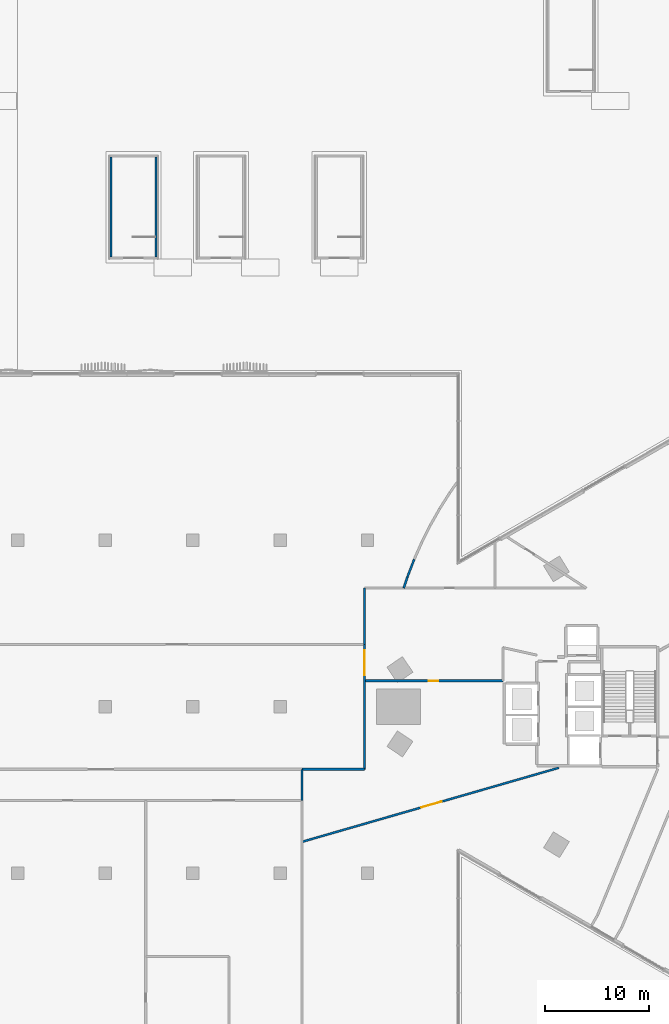
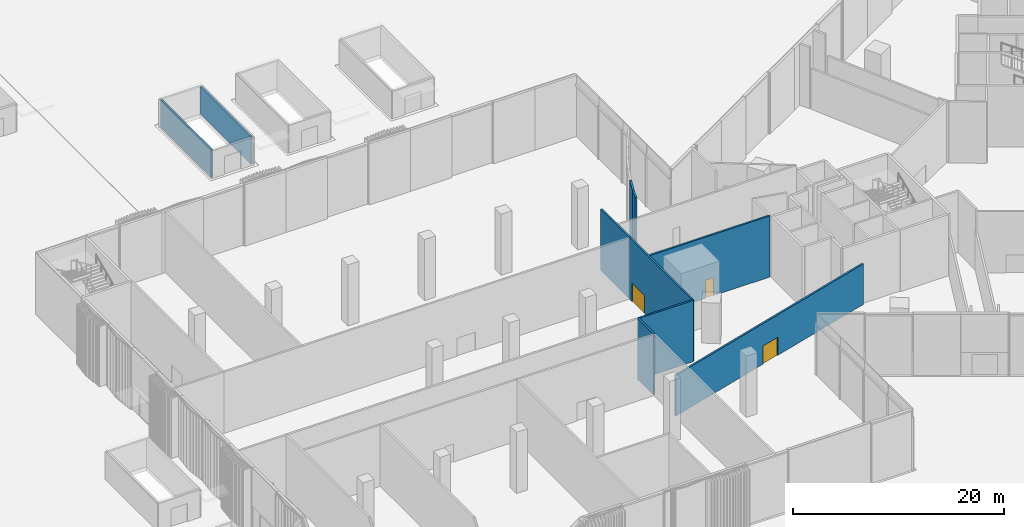
# One storey, part 17 of 41: 10 walls, 3 doors, 3 openings.
"""IFC4 building model written with IfcOpenShell, lengths in metres."""

from ifc_helpers import new_model, si_unit, direction, frame, frame_2d, origin, place, context, subcontext, project, spatial, rectangle, extrude, material, layer, layer_set, type_object, element, fill, save


model = new_model("IFC4")

# Units and contexts
model_context = context("Model", 3, precision=1e-05, world=origin(), true_north=direction((0.0, 1.0)))
body_context = subcontext(model_context, "Body", "Model", "MODEL_VIEW")
ifc_project = project(units=[si_unit("LENGTHUNIT", "METRE"), si_unit("AREAUNIT", "SQUARE_METRE"), si_unit("VOLUMEUNIT", "CUBIC_METRE"), si_unit("PLANEANGLEUNIT", "RADIAN"), si_unit("MASSUNIT", "GRAM", prefix="KILO")], contexts=[model_context])

# Site, building, storey
site_placement = place(None, origin())
site = spatial("IfcSite", under=ifc_project, at=site_placement, CompositionType="ELEMENT")
building_placement = place(site_placement, origin())
building = spatial("IfcBuilding", under=site, at=building_placement, Name="Tamra Quay Hotel Tower", CompositionType="ELEMENT")
storey_placement = place(building_placement, origin())
storey = spatial("IfcBuildingStorey", under=building, at=storey_placement, Name="L00", CompositionType="ELEMENT", Elevation=0.0)

# Walls
ifc_material_1 = material(Name="Concrete M70", Category="concrete")
ifc_layer_1 = layer(ifc_material_1, 0.199951171875)
ifc_layer_set_1 = layer_set([ifc_layer_1], Name="Concrete M70 stair enclosure wall 200")
wall_type_1 = type_object("IfcWallType", Name="Concrete M70 stair enclosure wall 200", PredefinedType="SOLIDWALL", material=ifc_layer_set_1)
for number, where, z_axis, x_axis, name in (
    (1, (-63.35009765625, 43.199951171875, 0.0), (0.0, 0.0, 1.0), (0.0, 1.0, 0.0), "SEW"),
    (2, (-59.0, 43.199951171875, 0.0), (0.0, 0.0, 1.0), (0.0, 1.0, 0.0), "SEW"),
):
    element("IfcWall", number, at=place(storey_placement, frame(where, z_axis=z_axis, x_axis=x_axis)), inside=storey, type_object=wall_type_1, Name=name, PredefinedType="SOLIDWALL", context=body_context, shape_type="SweptSolid", body=[
        extrude(rectangle(XDim=9.60009765625, YDim=0.199951171875, at=frame_2d((4.800048828125, 0.0))), origin(), (0.0, 0.0, 1.0), 3.199951171875),
    ])
ifc_material_2 = material(Name="Partition corridor wall")
ifc_layer_2 = layer(ifc_material_2, 0.199951171875)
ifc_layer_set_2 = layer_set([ifc_layer_2], Name="Partition corridor wall")
wall_type_2 = type_object("IfcWallType", Name="Partition corridor wall", PredefinedType="PARTITIONING", material=ifc_layer_set_2)
wall_1_placement = place(storey_placement, frame((-45.0, -9.0, 0.0), z_axis=(0.0, 0.0, 1.0), x_axis=(0.0, 1.0, 0.0)))
element("IfcWall", 3, at=wall_1_placement, inside=storey, type_object=wall_type_2, Name="W-C", PredefinedType="PARTITIONING", context=body_context, shape_type="SweptSolid", body=[
    extrude(rectangle(XDim=2.998046875, YDim=0.199951171875, at=frame_2d((1.4990234375, 0.0))), origin(), (0.0, 0.0, 1.0), 7.10009765625),
])
ifc_material_3 = material(Name="Partition party wall")
ifc_layer_3 = layer(ifc_material_3, 0.199951171875)
ifc_layer_set_3 = layer_set([ifc_layer_3], Name="Partition party wall")
wall_type_3 = type_object("IfcWallType", Name="Partition party wall", PredefinedType="PARTITIONING", material=ifc_layer_set_3)
wall_2_placement = place(storey_placement, frame((-45.010009765625, -6.0, 0.0), z_axis=(0.0, 0.0, 1.0), x_axis=(1.0, 0.0, 0.0)))
element("IfcWall", 4, at=wall_2_placement, inside=storey, type_object=wall_type_3, Name="W-P", PredefinedType="PARTITIONING", context=body_context, shape_type="SweptSolid", body=[
    extrude(rectangle(XDim=6.010009765625, YDim=0.199951171875, at=frame_2d((3.0048828125, 0.0))), origin(), (0.0, 0.0, 1.0), 7.10009765625),
])

# Wall, opening, door
wall_3_placement = place(storey_placement, frame((-44.998046875, -12.971923828125, 0.0), z_axis=(0.0, 0.0, 1.0), x_axis=(0.960873245647, 0.27698845788, 0.0)))
wall_3 = element("IfcWall", 5, at=wall_3_placement, inside=storey, type_object=wall_type_3, Name="W-P", PredefinedType="PARTITIONING", context=body_context, shape_type="SweptSolid", body=[
    extrude(rectangle(XDim=25.675537109375, YDim=0.199951171875, at=frame_2d((12.837890625, 0.0))), origin(), (0.0, 0.0, 1.0), 4.699951171875),
])
opening_1_placement = place(wall_3_placement, frame((11.946044921875, 0.0, 0.0)))
opening_1 = element("IfcOpeningElement", 6, at=opening_1_placement, cuts=wall_3, Name="Opening L00-D017", PredefinedType="OPENING", context=body_context, shape_type="SweptSolid", body=[
    extrude(rectangle(XDim=2.0, YDim=2.10009765625, at=frame_2d((1.0, 1.050048828125))), frame((0.0, 0.10986328125, 0.0), z_axis=(0.0, -1.0, 0.0), x_axis=(1.0, 0.0, 0.0)), (0.0, 0.0, 1.0), 0.219970703125),
])
ifc_material_4 = material(Name="Door double leaf 2000x2100")
door_type_1 = type_object("IfcDoorType", Name="Door double leaf 2000x2100", OperationType="DOUBLE_DOOR_SINGLE_SWING", PredefinedType="DOOR", material=ifc_material_4)
door_1_placement = place(opening_1_placement, frame((2.0, 0.0, 0.0), z_axis=(0.0, 0.0, 1.0), x_axis=(-1.0, 0.0, 0.0)))
door_1 = element("IfcDoor", 7, at=door_1_placement, inside=storey, type_object=door_type_1, Name="L00-D017", OperationType="DOUBLE_DOOR_SINGLE_SWING", OverallHeight=2.10009765625, OverallWidth=2.0, PredefinedType="DOOR", context=body_context, shape_type="SweptSolid", body=[
    extrude(rectangle(XDim=2.0, YDim=2.10009765625, at=frame_2d((1.0, 1.050048828125))), frame((0.0, 0.02490234375, 0.0), z_axis=(0.0, -1.0, 0.0), x_axis=(1.0, 0.0, 0.0)), (0.0, 0.0, 1.0), 0.050048828125),
])
fill(opening_1, door_1)

wall_4_placement = place(storey_placement, frame((-39.0, -6.0, 0.0), z_axis=(0.0, 0.0, 1.0), x_axis=(0.0, 1.0, 0.0)))
wall_4 = element("IfcWall", 8, at=wall_4_placement, inside=storey, type_object=wall_type_3, Name="W-P", PredefinedType="PARTITIONING", context=body_context, shape_type="SweptSolid", body=[
    extrude(rectangle(XDim=12.0, YDim=0.199951171875, at=frame_2d((6.0, 0.0))), origin(), (0.0, 0.0, 1.0), 7.10009765625),
])
opening_2_placement = place(wall_4_placement, frame((9.0439453125, 0.0, 0.0)))
opening_2 = element("IfcOpeningElement", 9, at=opening_2_placement, cuts=wall_4, Name="Opening L00-D021", PredefinedType="OPENING", context=body_context, shape_type="SweptSolid", body=[
    extrude(rectangle(XDim=2.39990234375, YDim=2.10009765625, at=frame_2d((1.199951171875, 1.050048828125))), frame((0.0, 0.10986328125, 0.0), z_axis=(0.0, -1.0, 0.0), x_axis=(1.0, 0.0, 0.0)), (0.0, 0.0, 1.0), 0.219970703125),
])
ifc_material_5 = material(Name="Door double leaf 2400x2100")
door_type_2 = type_object("IfcDoorType", Name="Door double leaf 2400x2100", OperationType="DOUBLE_DOOR_SINGLE_SWING", PredefinedType="DOOR", material=ifc_material_5)
door_2_placement = place(opening_2_placement, origin())
door_2 = element("IfcDoor", 10, at=door_2_placement, inside=storey, type_object=door_type_2, Name="L00-D021", OperationType="DOUBLE_DOOR_SINGLE_SWING", OverallHeight=2.10009765625, OverallWidth=2.39990234375, PredefinedType="DOOR", context=body_context, shape_type="SweptSolid", body=[
    extrude(rectangle(XDim=2.39990234375, YDim=2.10009765625, at=frame_2d((1.199951171875, 1.050048828125))), frame((0.0, 0.02490234375, 0.0), z_axis=(0.0, -1.0, 0.0), x_axis=(1.0, 0.0, 0.0)), (0.0, 0.0, 1.0), 0.050048828125),
])
fill(opening_2, door_2)

# Wall
wall_5_placement = place(storey_placement, frame((-39.0, 11.39697265625, 0.0), z_axis=(0.0, 0.0, 1.0), x_axis=(0.000181011853, -0.999999983617, 0.0)))
element("IfcWall", 11, at=wall_5_placement, inside=storey, type_object=wall_type_3, Name="W-P", PredefinedType="PARTITIONING", context=body_context, shape_type="SweptSolid", body=[
    extrude(rectangle(XDim=5.39501953125, YDim=0.199951171875, at=frame_2d((2.697509765625, 0.0))), origin(), (0.0, 0.0, 1.0), 7.10009765625),
])

# Wall, opening, door
wall_6_placement = place(storey_placement, frame((-38.998046875, 2.5, 0.0), z_axis=(0.0, 0.0, 1.0), x_axis=(1.0, 0.0, 0.0)))
wall_6 = element("IfcWall", 12, at=wall_6_placement, inside=storey, type_object=wall_type_3, Name="W-P", PredefinedType="PARTITIONING", context=body_context, shape_type="SweptSolid", body=[
    extrude(rectangle(XDim=13.298095703125, YDim=0.199951171875, at=frame_2d((6.64892578125, 0.0))), origin(), (0.0, 0.0, 1.0), 7.10009765625),
])
opening_3_placement = place(wall_6_placement, frame((6.198974609375, 0.0, 0.0)))
opening_3 = element("IfcOpeningElement", 13, at=opening_3_placement, cuts=wall_6, Name="Opening L00-D016", PredefinedType="OPENING", context=body_context, shape_type="SweptSolid", body=[
    extrude(rectangle(XDim=0.89990234375, YDim=2.10009765625, at=frame_2d((0.449951171875, 1.050048828125))), frame((0.0, 0.10986328125, 0.0), z_axis=(0.0, -1.0, 0.0), x_axis=(1.0, 0.0, 0.0)), (0.0, 0.0, 1.0), 0.219970703125),
])
ifc_material_6 = material(Name="Door service room 900x2100")
door_type_3 = type_object("IfcDoorType", Name="Door service room 900x2100", OperationType="NOTDEFINED", PredefinedType="DOOR", material=ifc_material_6)
door_3_placement = place(opening_3_placement, frame((0.89990234375, 0.0, 0.0), z_axis=(0.0, 0.0, 1.0), x_axis=(-1.0, 0.0, 0.0)))
door_3 = element("IfcDoor", 14, at=door_3_placement, inside=storey, type_object=door_type_3, Name="L00-D016", OperationType="SINGLE_SWING_LEFT", OverallHeight=2.10009765625, OverallWidth=0.89990234375, PredefinedType="DOOR", context=body_context, shape_type="SweptSolid", body=[
    extrude(rectangle(XDim=0.89990234375, YDim=2.10009765625, at=frame_2d((0.449951171875, 1.050048828125))), frame((0.0, 0.02490234375, 0.0), z_axis=(0.0, -1.0, 0.0), x_axis=(1.0, 0.0, 0.0)), (0.0, 0.0, 1.0), 0.050048828125),
])
fill(opening_3, door_3)

# Walls
wall_7_placement = place(storey_placement, frame((-35.219970703125, 11.404052734375, 0.0), z_axis=(0.0, 0.0, 1.0), x_axis=(0.314346255623, 0.949308396453, 0.0)))
element("IfcWall", 15, at=wall_7_placement, inside=storey, type_object=wall_type_3, Name="W-P", PredefinedType="PARTITIONING", context=body_context, shape_type="SweptSolid", body=[
    extrude(rectangle(XDim=1.129150390625, YDim=0.199951171875, at=frame_2d((0.564453125, 0.0))), origin(), (0.0, 0.0, 1.0), 7.10009765625),
])
wall_8_placement = place(storey_placement, frame((-34.864990234375, 12.47607421875, 0.0), z_axis=(0.0, 0.0, 1.0), x_axis=(0.360032500824, 0.932939761373, 0.0)))
element("IfcWall", 16, at=wall_8_placement, inside=storey, type_object=wall_type_3, Name="W-P", PredefinedType="PARTITIONING", context=body_context, shape_type="SweptSolid", body=[
    extrude(rectangle(XDim=1.816650390625, YDim=0.199951171875, at=frame_2d((0.908203125, 0.0))), origin(), (0.0, 0.0, 1.0), 7.10009765625),
])

save(model, "model.ifc")
